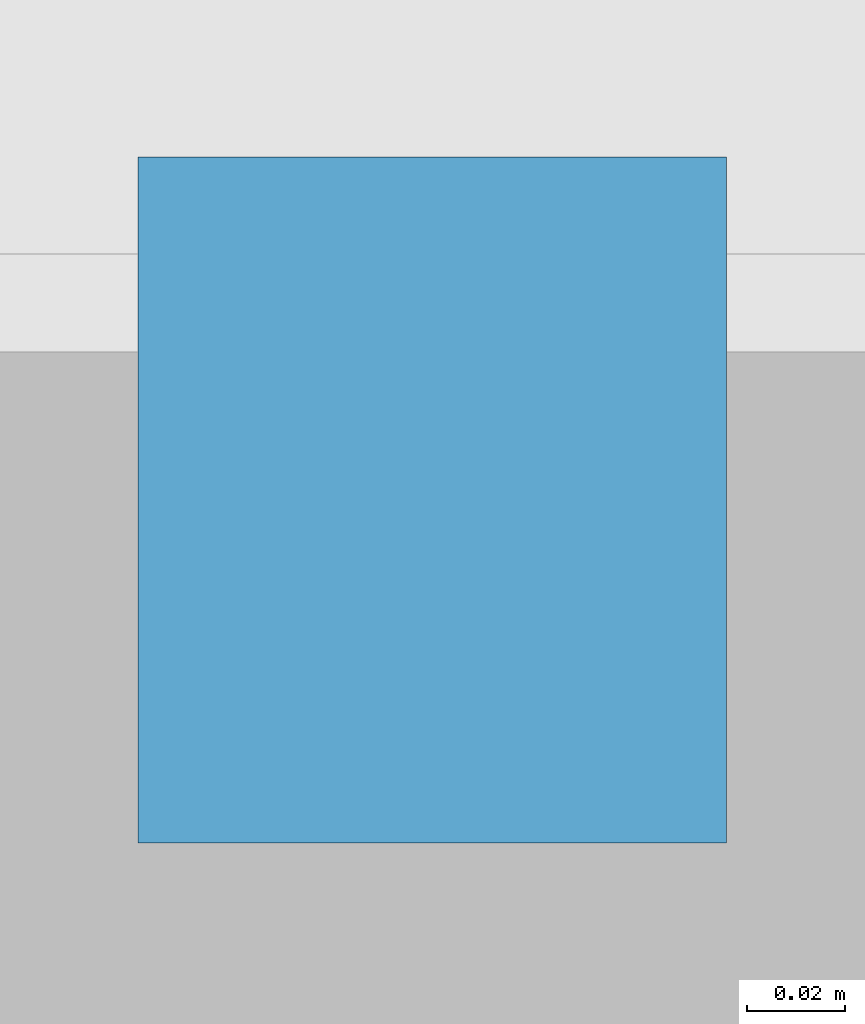
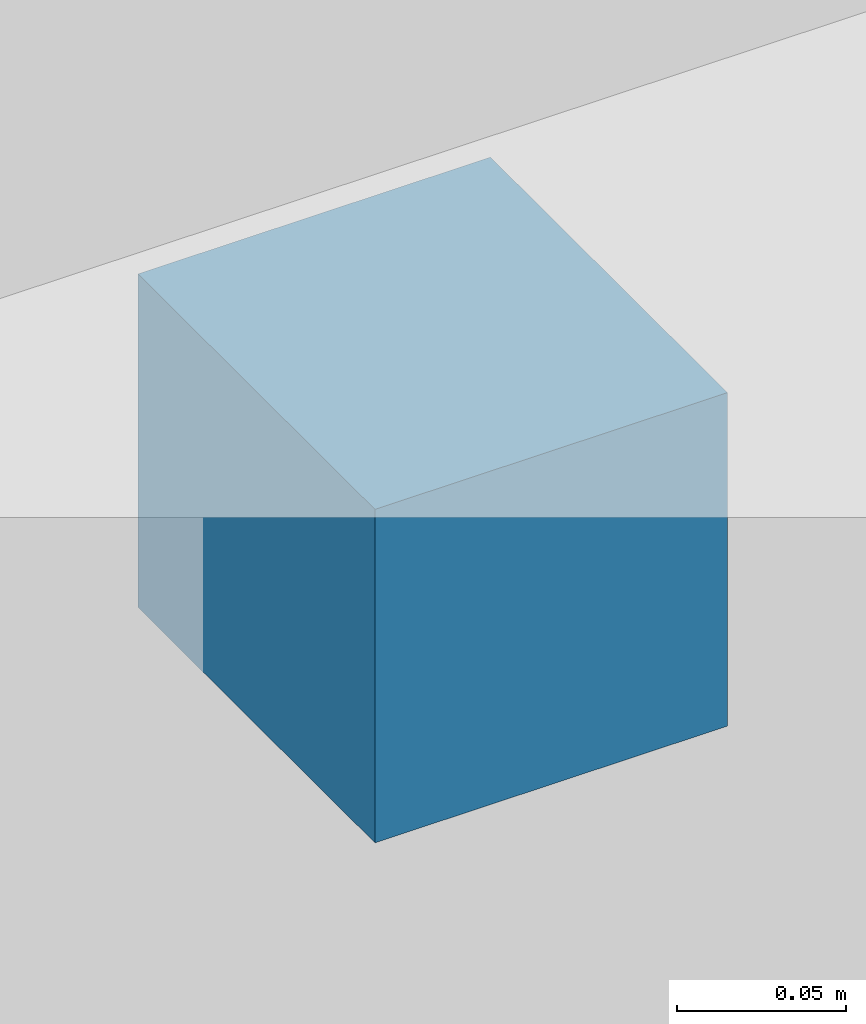
# One storey, part 101 of 113: 1 discrete accessory.
"""IFC4 building model written with IfcOpenShell, lengths in metres."""

from ifc_helpers import new_model, si_unit, direction, frame, origin, origin_2d, place, context, subcontext, project, spatial, rectangle, extrude, material, type_object, element, save


model = new_model("IFC4")

# Units and contexts
model_context = context("Model", 3, precision=1e-05, world=origin(), true_north=direction((0.0, 1.0)))
body_context = subcontext(model_context, "Body", "Model", "MODEL_VIEW")
ifc_project = project(units=[si_unit("LENGTHUNIT", "METRE"), si_unit("AREAUNIT", "SQUARE_METRE"), si_unit("VOLUMEUNIT", "CUBIC_METRE"), si_unit("PLANEANGLEUNIT", "RADIAN"), si_unit("MASSUNIT", "GRAM", prefix="KILO"), si_unit("POWERUNIT", "WATT"), si_unit("THERMODYNAMICTEMPERATUREUNIT", "KELVIN")], contexts=[model_context])

# Site, building, storey
site_placement = place(None, origin())
site = spatial("IfcSite", under=ifc_project, at=site_placement, CompositionType="ELEMENT")
building_placement = place(site_placement, origin())
building = spatial("IfcBuilding", under=site, at=building_placement, Name="Kelmbourne Parkland Aquatics Centre", CompositionType="ELEMENT")
storey_placement = place(building_placement, origin())
storey = spatial("IfcBuildingStorey", under=building, at=storey_placement, Name="L00", CompositionType="ELEMENT", Elevation=0.0)

# Discrete accessory
ifc_material = material(Name="Hot-dip galvanised structural steel AS/NZS 4680", Category="steel")
discrete_accessory_type = type_object("IfcDiscreteAccessoryType", Name="ACC-BRK-1", PredefinedType="BRACKET", material=ifc_material)
discrete_accessory_placement = place(storey_placement, frame((114.625, 0.544921875, 2.639892578125), z_axis=(0.0, 0.0, 1.0), x_axis=(1.0, 0.0, 0.0)))
element("IfcDiscreteAccessory", 1, at=discrete_accessory_placement, inside=storey, type_object=discrete_accessory_type, Name="Galvanised sunshade fixing bracket 064", PredefinedType="BRACKET", context=body_context, shape_type="SweptSolid", body=[
    extrude(rectangle(XDim=0.1201171875, YDim=0.139892578125, at=origin_2d()), origin(), (0.0, 0.0, 1.0), 0.1201171875),
])

save(model, "model.ifc")
